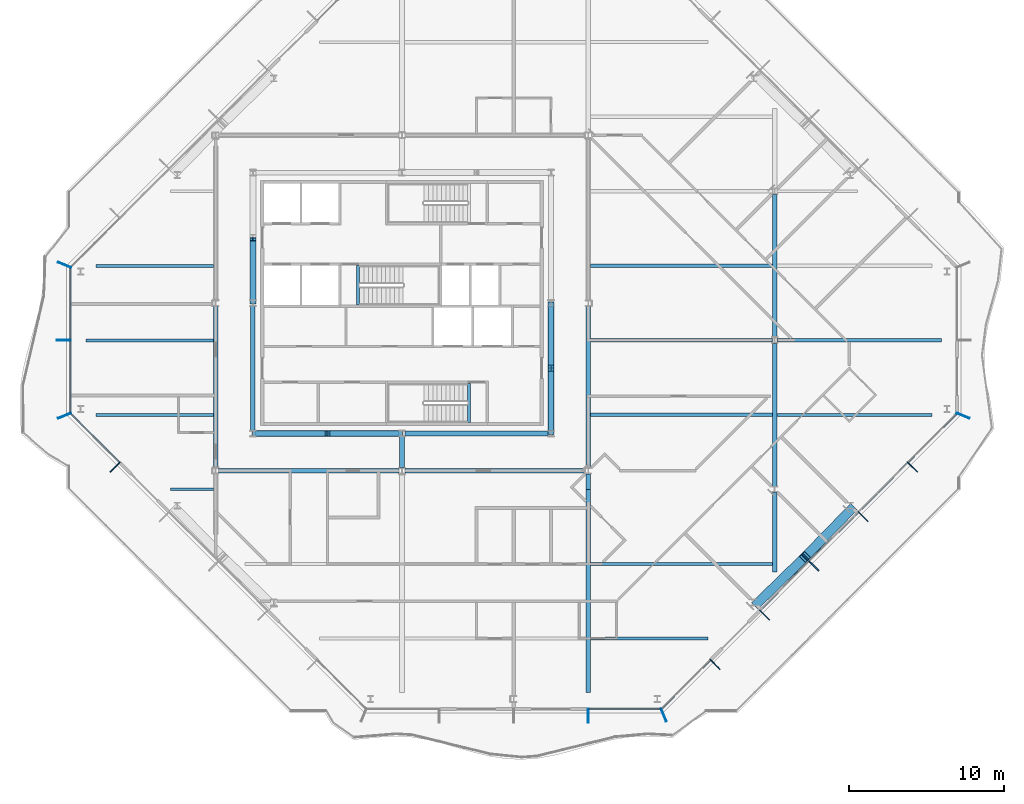
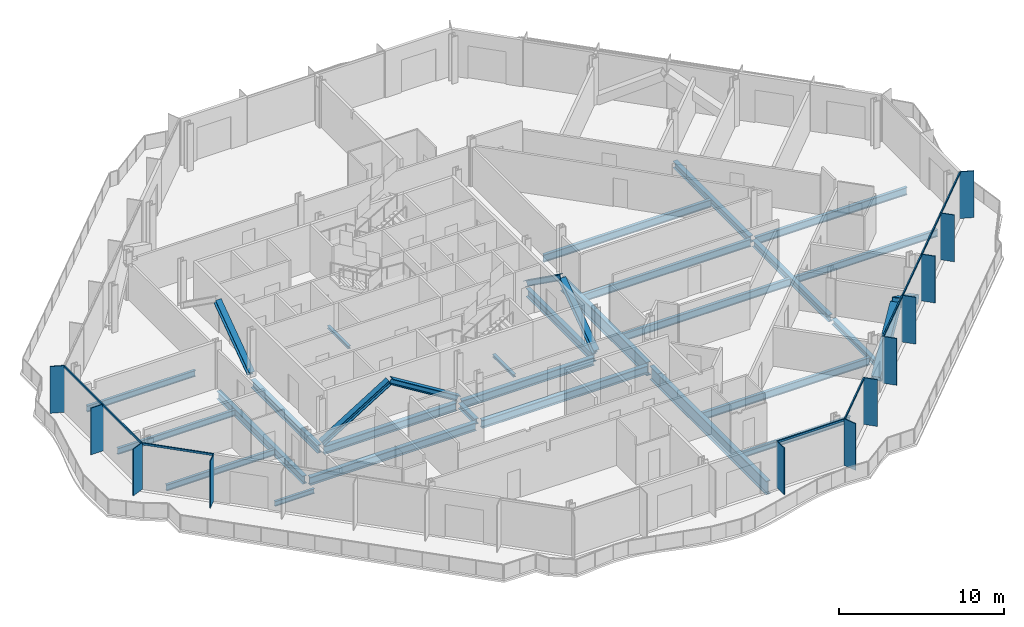
# One storey, part 3 of 17: 28 members, 27 beams, 5 elements without a shape of their own.
"""IFC4 building model written with IfcOpenShell, lengths in metres."""

from ifc_helpers import new_model, si_unit, direction, frame, origin, origin_2d, place, context, subcontext, project, spatial, rectangle, hollow_rectangle, i_section, extrude, material, material_profile, profile_set, type_object, element, aggregate, save


model = new_model("IFC4")

# Units and contexts
model_context = context("Model", 3, precision=1e-05, world=origin(), true_north=direction((0.0, 1.0)))
body_context = subcontext(model_context, "Body", "Model", "MODEL_VIEW")
ifc_project = project(units=[si_unit("LENGTHUNIT", "METRE"), si_unit("AREAUNIT", "SQUARE_METRE"), si_unit("VOLUMEUNIT", "CUBIC_METRE"), si_unit("PLANEANGLEUNIT", "RADIAN"), si_unit("MASSUNIT", "GRAM", prefix="KILO")], contexts=[model_context])

# Site, building, storey
site_placement = place(None, origin())
site = spatial("IfcSite", under=ifc_project, at=site_placement, CompositionType="ELEMENT")
building_placement = place(site_placement, origin())
building = spatial("IfcBuilding", under=site, at=building_placement, Name="Cairn Pilgrim Tower", CompositionType="ELEMENT")
storey_placement = place(building_placement, frame((0.0, 0.0, 210.60009765625)))
storey = spatial("IfcBuildingStorey", under=building, at=storey_placement, Name="L53", CompositionType="ELEMENT", Elevation=210.60009765625)

# Members
ifc_material_1 = material(Name="Structural steel S460M", Category="steel")
ifc_material_profile_1 = material_profile(ifc_material_1, hollow_rectangle(XDim=0.60009765625, YDim=0.60009765625, WallThickness=0.034912109375, at=origin_2d()), Name="BOX 600x600x35")
ifc_profile_set_1 = profile_set([ifc_material_profile_1], Name="Structural steel S460M")
member_type_1 = type_object("IfcMemberType", Name="BOX 600x600x35 BRACE", PredefinedType="BRACE", material=ifc_profile_set_1)
for number, where, z_axis, x_axis, name in (
    (1, (30.02392578125, -17.00146484375, 0.14990234375), (0.609993709431, 0.59476326853, 0.523607036681), (-0.698111810848, 0.715988756584, 0.0), "XB-SE2-SE3-1"),
    (2, (36.201416015625, -10.823974609375, 0.14990234375), (-0.59476326853, -0.609993709431, 0.523607036681), (0.715988756584, -0.698111810848, 0.0), "XB-SE2-SE3-2"),
):
    element("IfcMember", number, at=place(storey_placement, frame(where, z_axis=z_axis, x_axis=x_axis)), inside=storey, type_object=member_type_1, Name=name, PredefinedType="BRACE", context=body_context, shape_type="SweptSolid", body=[
        extrude(hollow_rectangle(XDim=0.60009765625, YDim=0.60009765625, WallThickness=0.034912109375, at=origin_2d()), origin(), (0.0, 0.0, 1.0), 5.033447265625),
    ])

# Curtain wall, member
ifc_material_2 = material(Name="Aluminium alloy 6063-T6 bronze anodised with Bronze tinted laminated low-E glass 8+16+8.8", Category="aluminium")
curtain_wall_type_1 = type_object("IfcCurtainWallType", Name="TOWER STICK CURTAIN WALL NS", PredefinedType="NOTDEFINED", material=ifc_material_2)
curtain_wall_1_placement = place(storey_placement, origin())
curtain_wall_1 = element("IfcCurtainWall", 3, at=curtain_wall_1_placement, inside=storey, type_object=curtain_wall_type_1, Name="Tower Stick Curtain Wall Ns S", PredefinedType="NOTDEFINED")
ifc_material_3 = material(Name="Aluminium alloy 6063-T6 bronze anodised", Category="aluminium")
ifc_material_profile_2 = material_profile(ifc_material_3, rectangle(XDim=0.89990234375, YDim=0.06005859375, at=origin_2d()), Name="FIN MULLION 60x900 BRONZE")
ifc_profile_set_2 = profile_set([ifc_material_profile_2], Name="Aluminium alloy 6063-T6 bronze anodised")
member_type_2 = type_object("IfcMemberType", Name="FIN MULLION 60x900 BRONZE", PredefinedType="MULLION", material=ifc_profile_set_2)
member_1_placement = place(storey_placement, frame((19.199951171875, -24.169921875, 0.0), z_axis=(0.0, 0.0, 1.0), x_axis=(0.0, -1.0, 0.0)))
member_1 = element("IfcMember", 4, at=member_1_placement, type_object=member_type_2, Name="Fin mullion S4", PredefinedType="MULLION", context=body_context, shape_type="SweptSolid", body=[
    extrude(rectangle(XDim=0.89990234375, YDim=0.06005859375, at=origin_2d()), origin(), (0.0, 0.0, 1.0), 3.449951171875),
])

# Curtain wall, members
curtain_wall_type_2 = type_object("IfcCurtainWallType", Name="CHAMFER CORNER CURTAIN WALL", PredefinedType="NOTDEFINED", material=ifc_material_2)
curtain_wall_2_placement = place(storey_placement, origin())
curtain_wall_2 = element("IfcCurtainWall", 5, at=curtain_wall_2_placement, inside=storey, type_object=curtain_wall_type_2, Name="Chamfer Corner Curtain Wall SE", PredefinedType="NOTDEFINED")
member_2_placement = place(storey_placement, frame((24.05712890625, -24.137939453125, 0.0), z_axis=(0.0, 0.0, 1.0), x_axis=(0.382683432365, -0.923879532511, 0.0)))
member_2 = element("IfcMember", 6, at=member_2_placement, type_object=member_type_2, Name="Fin mullion SE1", PredefinedType="MULLION", context=body_context, shape_type="SweptSolid", body=[
    extrude(rectangle(XDim=0.89990234375, YDim=0.06005859375, at=origin_2d()), origin(), (0.0, 0.0, 1.0), 3.449951171875),
])
member_3_placement = place(storey_placement, frame((27.369140625, -20.871337890625, 0.0), z_axis=(0.0, 0.0, 1.0), x_axis=(0.707106781187, -0.707106781187, 0.0)))
member_3 = element("IfcMember", 7, at=member_3_placement, type_object=member_type_2, Name="Fin mullion SE2", PredefinedType="MULLION", context=body_context, shape_type="SweptSolid", body=[
    extrude(rectangle(XDim=0.89990234375, YDim=0.06005859375, at=origin_2d()), origin(), (0.0, 0.0, 1.0), 3.449951171875),
])
member_4_placement = place(storey_placement, frame((30.544677734375, -17.69580078125, 0.0), z_axis=(0.0, 0.0, 1.0), x_axis=(0.707106781187, -0.707106781187, 0.0)))
member_4 = element("IfcMember", 8, at=member_4_placement, type_object=member_type_2, Name="Fin mullion SE3", PredefinedType="MULLION", context=body_context, shape_type="SweptSolid", body=[
    extrude(rectangle(XDim=0.89990234375, YDim=0.06005859375, at=origin_2d()), origin(), (0.0, 0.0, 1.0), 3.449951171875),
])
member_5_placement = place(storey_placement, frame((33.72021484375, -14.520263671875, 0.0), z_axis=(0.0, 0.0, 1.0), x_axis=(0.707106781187, -0.707106781187, 0.0)))
member_5 = element("IfcMember", 9, at=member_5_placement, type_object=member_type_2, Name="Fin mullion SE4", PredefinedType="MULLION", context=body_context, shape_type="SweptSolid", body=[
    extrude(rectangle(XDim=0.89990234375, YDim=0.06005859375, at=origin_2d()), origin(), (0.0, 0.0, 1.0), 3.449951171875),
])
member_6_placement = place(storey_placement, frame((36.895751953125, -11.3447265625, 0.0), z_axis=(0.0, 0.0, 1.0), x_axis=(0.707106781187, -0.707106781187, 0.0)))
member_6 = element("IfcMember", 10, at=member_6_placement, type_object=member_type_2, Name="Fin mullion SE5", PredefinedType="MULLION", context=body_context, shape_type="SweptSolid", body=[
    extrude(rectangle(XDim=0.89990234375, YDim=0.06005859375, at=origin_2d()), origin(), (0.0, 0.0, 1.0), 3.449951171875),
])
member_7_placement = place(storey_placement, frame((40.0712890625, -8.1689453125, 0.0), z_axis=(0.0, 0.0, 1.0), x_axis=(0.707106781187, -0.707106781187, 0.0)))
member_7 = element("IfcMember", 11, at=member_7_placement, type_object=member_type_2, Name="Fin mullion SE6", PredefinedType="MULLION", context=body_context, shape_type="SweptSolid", body=[
    extrude(rectangle(XDim=0.89990234375, YDim=0.06005859375, at=origin_2d()), origin(), (0.0, 0.0, 1.0), 3.449951171875),
])

# Curtain wall, member
curtain_wall_type_3 = type_object("IfcCurtainWallType", Name="TOWER STICK CURTAIN WALL EW", PredefinedType="NOTDEFINED", material=ifc_material_2)
curtain_wall_3_placement = place(storey_placement, origin())
curtain_wall_3 = element("IfcCurtainWall", 12, at=curtain_wall_3_placement, inside=storey, type_object=curtain_wall_type_3, Name="Tower Stick Curtain Wall Ew E", PredefinedType="NOTDEFINED")
member_8_placement = place(storey_placement, frame((43.338134765625, -4.857177734375, 0.0), z_axis=(0.0, 0.0, 1.0), x_axis=(0.923879532511, -0.382683432365, 0.0)))
member_8 = element("IfcMember", 13, at=member_8_placement, type_object=member_type_2, Name="Fin mullion E1", PredefinedType="MULLION", context=body_context, shape_type="SweptSolid", body=[
    extrude(rectangle(XDim=0.89990234375, YDim=0.06005859375, at=origin_2d()), origin(), (0.0, 0.0, 1.0), 3.449951171875),
])
aggregate(curtain_wall_3, [member_8])

# Curtain wall, members
curtain_wall_4_placement = place(storey_placement, origin())
curtain_wall_4 = element("IfcCurtainWall", 14, at=curtain_wall_4_placement, inside=storey, type_object=curtain_wall_type_3, Name="Tower Stick Curtain Wall Ew W", PredefinedType="NOTDEFINED")
member_9_placement = place(storey_placement, frame((-14.5380859375, 4.857177734375, 0.0), z_axis=(0.0, 0.0, 1.0), x_axis=(-0.923879532511, 0.382683432365, 0.0)))
member_9 = element("IfcMember", 15, at=member_9_placement, type_object=member_type_2, Name="Fin mullion W1", PredefinedType="MULLION", context=body_context, shape_type="SweptSolid", body=[
    extrude(rectangle(XDim=0.89990234375, YDim=0.06005859375, at=origin_2d()), origin(), (0.0, 0.0, 1.0), 3.449951171875),
])
member_10_placement = place(storey_placement, frame((-14.570068359375, 0.0, 0.0), z_axis=(0.0, 0.0, 1.0), x_axis=(-1.0, 0.0, 0.0)))
member_10 = element("IfcMember", 16, at=member_10_placement, type_object=member_type_2, Name="Fin mullion W2", PredefinedType="MULLION", context=body_context, shape_type="SweptSolid", body=[
    extrude(rectangle(XDim=0.89990234375, YDim=0.06005859375, at=origin_2d()), origin(), (0.0, 0.0, 1.0), 3.449951171875),
])

curtain_wall_5_placement = place(storey_placement, origin())
curtain_wall_5 = element("IfcCurtainWall", 17, at=curtain_wall_5_placement, inside=storey, type_object=curtain_wall_type_2, Name="Chamfer Corner Curtain Wall SW", PredefinedType="NOTDEFINED")
member_11_placement = place(storey_placement, frame((-14.5380859375, -4.857177734375, 0.0), z_axis=(0.0, 0.0, 1.0), x_axis=(-0.923879532511, -0.382683432365, 0.0)))
member_11 = element("IfcMember", 18, at=member_11_placement, type_object=member_type_2, Name="Fin mullion SW1", PredefinedType="MULLION", context=body_context, shape_type="SweptSolid", body=[
    extrude(rectangle(XDim=0.89990234375, YDim=0.06005859375, at=origin_2d()), origin(), (0.0, 0.0, 1.0), 3.449951171875),
])
member_12_placement = place(storey_placement, frame((-11.271484375, -8.1689453125, 0.0), z_axis=(0.0, 0.0, 1.0), x_axis=(-0.707106781187, -0.707106781187, 0.0)))
member_12 = element("IfcMember", 19, at=member_12_placement, type_object=member_type_2, Name="Fin mullion SW2", PredefinedType="MULLION", context=body_context, shape_type="SweptSolid", body=[
    extrude(rectangle(XDim=0.89990234375, YDim=0.06005859375, at=origin_2d()), origin(), (0.0, 0.0, 1.0), 3.449951171875),
])

# Members
ifc_material_4 = material(Name="Structural steel S355J2", Category="steel")
ifc_material_profile_3 = material_profile(ifc_material_4, i_section(OverallWidth=0.39794921875, OverallDepth=0.386962890625, WebThickness=0.02099609375, FlangeThickness=0.033203125, FilletRadius=0.014892578125, at=origin_2d()), Name="HD 400x262")
ifc_profile_set_3 = profile_set([ifc_material_profile_3], Name="Structural steel S355J2")
member_type_3 = type_object("IfcMemberType", Name="HD 400x262 BRACE", PredefinedType="BRACE", material=ifc_profile_set_3)
member_13_placement = place(storey_placement, frame((-2.359619140625, -6.0, 0.099853515625), z_axis=(0.851160677397, 0.0, 0.524905230736), x_axis=(0.0, 1.0, 0.0)))
element("IfcMember", 20, at=member_13_placement, inside=storey, type_object=member_type_3, Name="KB-1A", PredefinedType="BRACE", context=body_context, shape_type="SweptSolid", body=[
    extrude(i_section(OverallWidth=0.39794921875, OverallDepth=0.386962890625, WebThickness=0.02099609375, FlangeThickness=0.033203125, FilletRadius=0.014892578125, at=origin_2d()), origin(), (0.0, 0.0, 1.0), 5.529296875),
])
member_14_placement = place(storey_placement, frame((7.15966796875, -6.0, 0.099853515625), z_axis=(-0.851172842321, 0.0, 0.524885504177), x_axis=(0.0, -1.0, 0.0)))
element("IfcMember", 21, at=member_14_placement, inside=storey, type_object=member_type_3, Name="KB-1B", PredefinedType="BRACE", context=body_context, shape_type="SweptSolid", body=[
    extrude(i_section(OverallWidth=0.39794921875, OverallDepth=0.386962890625, WebThickness=0.02099609375, FlangeThickness=0.033203125, FilletRadius=0.014892578125, at=origin_2d()), origin(), (0.0, 0.0, 1.0), 5.529541015625),
])
member_15_placement = place(storey_placement, frame((16.800048828125, -5.959716796875, 0.099853515625), z_axis=(0.0, 0.814429122825, 0.580263047155), x_axis=(-1.0, 0.0, 0.0)))
element("IfcMember", 22, at=member_15_placement, inside=storey, type_object=member_type_3, Name="KB-2A", PredefinedType="BRACE", context=body_context, shape_type="SweptSolid", body=[
    extrude(i_section(OverallWidth=0.39794921875, OverallDepth=0.386962890625, WebThickness=0.02099609375, FlangeThickness=0.033203125, FilletRadius=0.014892578125, at=origin_2d()), origin(), (0.0, 0.0, 1.0), 4.999267578125),
])
for number, where, z_axis, x_axis, name in (
    (23, (16.800048828125, 2.359619140625, 0.099853515625), (0.0, -0.814412678688, 0.580286126659), (1.0, 0.0, 0.0), "KB-2B"),
    (24, (-2.39990234375, 2.4404296875, 0.099853515625), (0.0, 0.814412678688, 0.580286126659), (-1.0, 0.0, 0.0), "KB-4B"),
):
    element("IfcMember", number, at=place(storey_placement, frame(where, z_axis=z_axis, x_axis=x_axis)), inside=storey, type_object=member_type_3, Name=name, PredefinedType="BRACE", context=body_context, shape_type="SweptSolid", body=[
        extrude(i_section(OverallWidth=0.39794921875, OverallDepth=0.386962890625, WebThickness=0.02099609375, FlangeThickness=0.033203125, FilletRadius=0.014892578125, at=origin_2d()), origin(), (0.0, 0.0, 1.0), 4.9990234375),
    ])

# Beams
ifc_material_profile_4 = material_profile(ifc_material_4, i_section(OverallWidth=0.300048828125, OverallDepth=0.39990234375, WebThickness=0.013427734375, FlangeThickness=0.02392578125, FilletRadius=0.027099609375, at=origin_2d()), Name="HEB 400")
ifc_profile_set_4 = profile_set([ifc_material_profile_4], Name="Structural steel S355J2")
beam_type_1 = type_object("IfcBeamType", Name="HEB 400 GIRDER", PredefinedType="BEAM", material=ifc_profile_set_4)
beam_1_placement = place(storey_placement, frame((7.199951171875, -8.200439453125, -0.35009765625), z_axis=(0.0, 1.0, 0.0), x_axis=(-1.0, 0.0, 0.0)))
element("IfcBeam", 25, at=beam_1_placement, inside=storey, type_object=beam_type_1, Name="PG3-E1", PredefinedType="BEAM", context=body_context, shape_type="SweptSolid", body=[
    extrude(i_section(OverallWidth=0.300048828125, OverallDepth=0.39990234375, WebThickness=0.013427734375, FlangeThickness=0.02392578125, FilletRadius=0.027099609375, at=origin_2d()), origin(), (0.0, 0.0, 1.0), 1.99853515625),
])
beam_2_placement = place(storey_placement, frame((31.199951171875, -14.9208984375, -0.35009765625), z_axis=(0.0, 1.0, 0.0), x_axis=(-1.0, 0.0, 0.0)))
element("IfcBeam", 26, at=beam_2_placement, inside=storey, type_object=beam_type_1, Name="PG5-1", PredefinedType="BEAM", context=body_context, shape_type="SweptSolid", body=[
    extrude(i_section(OverallWidth=0.300048828125, OverallDepth=0.39990234375, WebThickness=0.013427734375, FlangeThickness=0.02392578125, FilletRadius=0.027099609375, at=origin_2d()), origin(), (0.0, 0.0, 1.0), 5.121337890625),
])
ifc_material_profile_5 = material_profile(ifc_material_4, i_section(OverallWidth=0.300048828125, OverallDepth=0.5, WebThickness=0.014404296875, FlangeThickness=0.028076171875, FilletRadius=0.027099609375, at=origin_2d()), Name="HEB 500")
ifc_profile_set_5 = profile_set([ifc_material_profile_5], Name="Structural steel S355J2")
beam_type_2 = type_object("IfcBeamType", Name="HEB 500 GIRDER", PredefinedType="BEAM", material=ifc_profile_set_5)
for number, where, z_axis, x_axis, name in (
    (27, (31.199951171875, -9.400390625, -0.400146484375), (0.0, 1.0, 0.0), (-1.0, 0.0, 0.0), "PG5-2"),
    (28, (31.199951171875, 0.199462890625, -0.400146484375), (0.0, 1.0, 0.0), (-1.0, 0.0, 0.0), "PG5-3"),
):
    element("IfcBeam", number, at=place(storey_placement, frame(where, z_axis=z_axis, x_axis=x_axis)), inside=storey, type_object=beam_type_2, Name=name, PredefinedType="BEAM", context=body_context, shape_type="SweptSolid", body=[
        extrude(i_section(OverallWidth=0.300048828125, OverallDepth=0.5, WebThickness=0.014404296875, FlangeThickness=0.028076171875, FilletRadius=0.027099609375, at=origin_2d()), origin(), (0.0, 0.0, 1.0), 9.200927734375),
    ])
ifc_material_profile_6 = material_profile(ifc_material_4, i_section(OverallWidth=0.300048828125, OverallDepth=0.60009765625, WebThickness=0.015380859375, FlangeThickness=0.030029296875, FilletRadius=0.027099609375, at=origin_2d()), Name="HEB 600")
ifc_profile_set_6 = profile_set([ifc_material_profile_6], Name="Structural steel S355J2")
beam_type_3 = type_object("IfcBeamType", Name="HEB 600 CORE BEAM", PredefinedType="BEAM", material=ifc_profile_set_6)
beam_3_placement = place(storey_placement, frame((-2.21826171875, -6.0, -0.4501953125), z_axis=(1.0, 0.0, 0.0), x_axis=(0.0, 1.0, 0.0)))
element("IfcBeam", 29, at=beam_3_placement, inside=storey, type_object=beam_type_3, Name="CB-1", PredefinedType="BEAM", context=body_context, shape_type="SweptSolid", body=[
    extrude(i_section(OverallWidth=0.300048828125, OverallDepth=0.60009765625, WebThickness=0.015380859375, FlangeThickness=0.030029296875, FilletRadius=0.027099609375, at=origin_2d()), origin(), (0.0, 0.0, 1.0), 9.236572265625),
])
beam_4_placement = place(storey_placement, frame((7.3818359375, -6.0, -0.4501953125), z_axis=(1.0, 0.0, 0.0), x_axis=(0.0, 1.0, 0.0)))
element("IfcBeam", 30, at=beam_4_placement, inside=storey, type_object=beam_type_3, Name="CB-2", PredefinedType="BEAM", context=body_context, shape_type="SweptSolid", body=[
    extrude(i_section(OverallWidth=0.300048828125, OverallDepth=0.60009765625, WebThickness=0.015380859375, FlangeThickness=0.030029296875, FilletRadius=0.027099609375, at=origin_2d()), origin(), (0.0, 0.0, 1.0), 9.236328125),
])
for number, where, z_axis, x_axis, name in (
    (31, (16.800048828125, -5.818115234375, -0.4501953125), (0.0, 1.0, 0.0), (-1.0, 0.0, 0.0), "CB-3"),
    (32, (-2.39990234375, 2.21826171875, -0.4501953125), (0.0, -1.0, 0.0), (1.0, 0.0, 0.0), "CB-8"),
):
    element("IfcBeam", number, at=place(storey_placement, frame(where, z_axis=z_axis, x_axis=x_axis)), inside=storey, type_object=beam_type_3, Name=name, PredefinedType="BEAM", context=body_context, shape_type="SweptSolid", body=[
        extrude(i_section(OverallWidth=0.300048828125, OverallDepth=0.60009765625, WebThickness=0.015380859375, FlangeThickness=0.030029296875, FilletRadius=0.027099609375, at=origin_2d()), origin(), (0.0, 0.0, 1.0), 8.036376953125),
    ])
ifc_material_profile_7 = material_profile(ifc_material_4, i_section(OverallWidth=0.300048828125, OverallDepth=0.60009765625, WebThickness=0.015380859375, FlangeThickness=0.030029296875, FilletRadius=0.027099609375, at=origin_2d()), Name="HEB 600")
ifc_profile_set_7 = profile_set([ifc_material_profile_7], Name="Structural steel S355J2")
beam_type_4 = type_object("IfcBeamType", Name="HEB 600 GIRDER", PredefinedType="BEAM", material=ifc_profile_set_7)
beam_5_placement = place(storey_placement, frame((-4.800048828125, -8.200439453125, -0.4501953125), z_axis=(0.0, 1.0, 0.0), x_axis=(-1.0, 0.0, 0.0)))
element("IfcBeam", 33, at=beam_5_placement, inside=storey, type_object=beam_type_4, Name="PG2-2", PredefinedType="BEAM", context=body_context, shape_type="SweptSolid", body=[
    extrude(i_section(OverallWidth=0.300048828125, OverallDepth=0.60009765625, WebThickness=0.015380859375, FlangeThickness=0.030029296875, FilletRadius=0.027099609375, at=origin_2d()), origin(), (0.0, 0.0, 1.0), 10.40087890625),
])
ifc_material_profile_8 = material_profile(ifc_material_4, i_section(OverallWidth=0.300048828125, OverallDepth=0.60009765625, WebThickness=0.015380859375, FlangeThickness=0.030029296875, FilletRadius=0.027099609375, at=origin_2d()), Name="HEB 600")
ifc_profile_set_8 = profile_set([ifc_material_profile_8], Name="Structural steel S355J2")
beam_type_5 = type_object("IfcBeamType", Name="HEB 600 INNER GIRDER", PredefinedType="BEAM", material=ifc_profile_set_8)
for number, where, z_axis, x_axis, name in (
    (34, (-4.6005859375, -8.39990234375, -0.4501953125), (1.0, 0.0, 0.0), (0.0, 1.0, 0.0), "IG1-1"),
    (35, (7.3994140625, -8.39990234375, -0.4501953125), (1.0, 0.0, 0.0), (0.0, 1.0, 0.0), "IG1-2"),
):
    element("IfcBeam", number, at=place(storey_placement, frame(where, z_axis=z_axis, x_axis=x_axis)), inside=storey, type_object=beam_type_5, Name=name, PredefinedType="BEAM", context=body_context, shape_type="SweptSolid", body=[
        extrude(i_section(OverallWidth=0.300048828125, OverallDepth=0.60009765625, WebThickness=0.015380859375, FlangeThickness=0.030029296875, FilletRadius=0.027099609375, at=origin_2d()), origin(), (0.0, 0.0, 1.0), 11.60107421875),
    ])
ifc_material_profile_9 = material_profile(ifc_material_4, i_section(OverallWidth=0.302001953125, OverallDepth=1.008056640625, WebThickness=0.02099609375, FlangeThickness=0.0400390625, FilletRadius=0.030029296875, at=origin_2d()), Name="HEM 1000")
ifc_profile_set_9 = profile_set([ifc_material_profile_9], Name="Structural steel S355J2")
beam_type_6 = type_object("IfcBeamType", Name="HEM 1000 GIRDER", PredefinedType="BEAM", material=ifc_profile_set_9)
beam_6_placement = place(storey_placement, frame((19.199951171875, -22.679931640625, -0.654052734375), z_axis=(0.0, 1.0, 0.0), x_axis=(-1.0, 0.0, 0.0)))
element("IfcBeam", 36, at=beam_6_placement, inside=storey, type_object=beam_type_6, Name="PG4-1", PredefinedType="BEAM", context=body_context, shape_type="SweptSolid", body=[
    extrude(i_section(OverallWidth=0.302001953125, OverallDepth=1.008056640625, WebThickness=0.02099609375, FlangeThickness=0.0400390625, FilletRadius=0.030029296875, at=origin_2d()), origin(), (0.0, 0.0, 1.0), 13.079833984375),
])
beam_7_placement = place(storey_placement, frame((19.199951171875, -9.60009765625, -0.654052734375), z_axis=(0.0, 1.0, 0.0), x_axis=(-1.0, 0.0, 0.0)))
element("IfcBeam", 37, at=beam_7_placement, inside=storey, type_object=beam_type_6, Name="PG4-E1", PredefinedType="BEAM", context=body_context, shape_type="SweptSolid", body=[
    extrude(i_section(OverallWidth=0.302001953125, OverallDepth=1.008056640625, WebThickness=0.02099609375, FlangeThickness=0.0400390625, FilletRadius=0.030029296875, at=origin_2d()), origin(), (0.0, 0.0, 1.0), 1.00048828125),
])
beam_8_placement = place(storey_placement, frame((19.199951171875, -8.200439453125, -0.654052734375), z_axis=(0.0, 1.0, 0.0), x_axis=(-1.0, 0.0, 0.0)))
element("IfcBeam", 38, at=beam_8_placement, inside=storey, type_object=beam_type_6, Name="PG4-2", PredefinedType="BEAM", context=body_context, shape_type="SweptSolid", body=[
    extrude(i_section(OverallWidth=0.302001953125, OverallDepth=1.008056640625, WebThickness=0.02099609375, FlangeThickness=0.0400390625, FilletRadius=0.030029296875, at=origin_2d()), origin(), (0.0, 0.0, 1.0), 10.40087890625),
])
ifc_material_profile_10 = material_profile(ifc_material_4, i_section(OverallWidth=0.169921875, OverallDepth=0.360107421875, WebThickness=0.008056640625, FlangeThickness=0.0126953125, FilletRadius=0.01806640625, at=origin_2d()), Name="IPE 360")
ifc_profile_set_10 = profile_set([ifc_material_profile_10], Name="Structural steel S355J2")
beam_type_7 = type_object("IfcBeamType", Name="IPE 360 SECONDARY BEAM", PredefinedType="JOIST", material=ifc_profile_set_10)
beam_9_placement = place(storey_placement, frame((-7.720703125, -9.60009765625, -0.330078125), z_axis=(1.0, 0.0, 0.0), x_axis=(0.0, 1.0, 0.0)))
element("IfcBeam", 39, at=beam_9_placement, inside=storey, type_object=beam_type_7, Name="SB3-1", PredefinedType="JOIST", context=body_context, shape_type="SweptSolid", body=[
    extrude(i_section(OverallWidth=0.169921875, OverallDepth=0.360107421875, WebThickness=0.008056640625, FlangeThickness=0.0126953125, FilletRadius=0.01806640625, at=origin_2d()), origin(), (0.0, 0.0, 1.0), 2.770751953125),
])
ifc_material_profile_11 = material_profile(ifc_material_4, i_section(OverallWidth=0.18994140625, OverallDepth=0.449951171875, WebThickness=0.009521484375, FlangeThickness=0.0146484375, FilletRadius=0.02099609375, at=origin_2d()), Name="IPE 450")
ifc_profile_set_11 = profile_set([ifc_material_profile_11], Name="Structural steel S355J2")
beam_type_8 = type_object("IfcBeamType", Name="IPE 450 SECONDARY BEAM", PredefinedType="JOIST", material=ifc_profile_set_11)
for number, where, z_axis, x_axis, name in (
    (40, (19.35009765625, -19.199951171875, -0.375), (1.0, 0.0, 0.0), (0.0, 1.0, 0.0), "SB1-3"),
    (41, (-12.520751953125, -4.800048828125, -0.375), (1.0, 0.0, 0.0), (0.0, 1.0, 0.0), "SB4-1"),
):
    element("IfcBeam", number, at=place(storey_placement, frame(where, z_axis=z_axis, x_axis=x_axis)), inside=storey, type_object=beam_type_8, Name=name, PredefinedType="JOIST", context=body_context, shape_type="SweptSolid", body=[
        extrude(i_section(OverallWidth=0.18994140625, OverallDepth=0.449951171875, WebThickness=0.009521484375, FlangeThickness=0.0146484375, FilletRadius=0.02099609375, at=origin_2d()), origin(), (0.0, 0.0, 1.0), 7.57080078125),
    ])
beam_10_placement = place(storey_placement, frame((-13.14990234375, 0.0, -0.375), z_axis=(1.0, 0.0, 0.0), x_axis=(0.0, 1.0, 0.0)))
element("IfcBeam", 42, at=beam_10_placement, inside=storey, type_object=beam_type_8, Name="SB5-1", PredefinedType="JOIST", context=body_context, shape_type="SweptSolid", body=[
    extrude(i_section(OverallWidth=0.18994140625, OverallDepth=0.449951171875, WebThickness=0.009521484375, FlangeThickness=0.0146484375, FilletRadius=0.02099609375, at=origin_2d()), origin(), (0.0, 0.0, 1.0), 8.199951171875),
])
beam_11_placement = place(storey_placement, frame((-12.520751953125, 4.800048828125, -0.375), z_axis=(1.0, 0.0, 0.0), x_axis=(0.0, 1.0, 0.0)))
element("IfcBeam", 43, at=beam_11_placement, inside=storey, type_object=beam_type_8, Name="SB6-1", PredefinedType="JOIST", context=body_context, shape_type="SweptSolid", body=[
    extrude(i_section(OverallWidth=0.18994140625, OverallDepth=0.449951171875, WebThickness=0.009521484375, FlangeThickness=0.0146484375, FilletRadius=0.02099609375, at=origin_2d()), origin(), (0.0, 0.0, 1.0), 7.57080078125),
])
ifc_material_profile_12 = material_profile(ifc_material_4, i_section(OverallWidth=0.199951171875, OverallDepth=0.5, WebThickness=0.01025390625, FlangeThickness=0.01611328125, FilletRadius=0.02099609375, at=origin_2d()), Name="IPE 500")
ifc_profile_set_12 = profile_set([ifc_material_profile_12], Name="Structural steel S355J2")
beam_type_9 = type_object("IfcBeamType", Name="IPE 500 SECONDARY BEAM", PredefinedType="JOIST", material=ifc_profile_set_12)
beam_12_placement = place(storey_placement, frame((31.35009765625, -4.800048828125, -0.400146484375), z_axis=(1.0, 0.0, 0.0), x_axis=(0.0, 1.0, 0.0)))
element("IfcBeam", 44, at=beam_12_placement, inside=storey, type_object=beam_type_9, Name="SB4-3", PredefinedType="JOIST", context=body_context, shape_type="SweptSolid", body=[
    extrude(i_section(OverallWidth=0.199951171875, OverallDepth=0.5, WebThickness=0.01025390625, FlangeThickness=0.01611328125, FilletRadius=0.02099609375, at=origin_2d()), origin(), (0.0, 0.0, 1.0), 9.970703125),
])
ifc_material_profile_13 = material_profile(ifc_material_4, i_section(OverallWidth=0.2099609375, OverallDepth=0.550048828125, WebThickness=0.010986328125, FlangeThickness=0.01708984375, FilletRadius=0.02392578125, at=origin_2d()), Name="IPE 550")
ifc_profile_set_13 = profile_set([ifc_material_profile_13], Name="Structural steel S355J2")
beam_type_10 = type_object("IfcBeamType", Name="IPE 550 SECONDARY BEAM", PredefinedType="JOIST", material=ifc_profile_set_13)
for number, where, z_axis, x_axis, name in (
    (45, (19.35009765625, -14.39990234375, -0.425048828125), (1.0, 0.0, 0.0), (0.0, 1.0, 0.0), "SB2-3"),
    (46, (19.35009765625, -4.800048828125, -0.425048828125), (1.0, 0.0, 0.0), (0.0, 1.0, 0.0), "SB4-2"),
    (47, (19.35009765625, 0.0, -0.425048828125), (1.0, 0.0, 0.0), (0.0, 1.0, 0.0), "SB5-2"),
):
    element("IfcBeam", number, at=place(storey_placement, frame(where, z_axis=z_axis, x_axis=x_axis)), inside=storey, type_object=beam_type_10, Name=name, PredefinedType="JOIST", context=body_context, shape_type="SweptSolid", body=[
        extrude(i_section(OverallWidth=0.2099609375, OverallDepth=0.550048828125, WebThickness=0.010986328125, FlangeThickness=0.01708984375, FilletRadius=0.02392578125, at=origin_2d()), origin(), (0.0, 0.0, 1.0), 11.699951171875),
    ])
beam_13_placement = place(storey_placement, frame((31.35009765625, 0.0, -0.425048828125), z_axis=(1.0, 0.0, 0.0), x_axis=(0.0, 1.0, 0.0)))
element("IfcBeam", 48, at=beam_13_placement, inside=storey, type_object=beam_type_10, Name="SB5-3", PredefinedType="JOIST", context=body_context, shape_type="SweptSolid", body=[
    extrude(i_section(OverallWidth=0.2099609375, OverallDepth=0.550048828125, WebThickness=0.010986328125, FlangeThickness=0.01708984375, FilletRadius=0.02392578125, at=origin_2d()), origin(), (0.0, 0.0, 1.0), 10.599853515625),
])
beam_14_placement = place(storey_placement, frame((19.35009765625, 4.800048828125, -0.425048828125), z_axis=(1.0, 0.0, 0.0), x_axis=(0.0, 1.0, 0.0)))
element("IfcBeam", 49, at=beam_14_placement, inside=storey, type_object=beam_type_10, Name="SB6-2", PredefinedType="JOIST", context=body_context, shape_type="SweptSolid", body=[
    extrude(i_section(OverallWidth=0.2099609375, OverallDepth=0.550048828125, WebThickness=0.010986328125, FlangeThickness=0.01708984375, FilletRadius=0.02392578125, at=origin_2d()), origin(), (0.0, 0.0, 1.0), 11.699951171875),
])
ifc_material_profile_14 = material_profile(ifc_material_4, i_section(OverallWidth=0.199951171875, OverallDepth=0.199951171875, WebThickness=0.009033203125, FlangeThickness=0.014892578125, FilletRadius=0.01806640625, at=origin_2d()), Name="HE 200 B")
ifc_profile_set_14 = profile_set([ifc_material_profile_14], Name="Structural steel S355J2")
beam_type_11 = type_object("IfcBeamType", Name="STAIR LANDING BEAM HE 200 B", PredefinedType="BEAM", material=ifc_profile_set_14)
beam_15_placement = place(storey_placement, frame((11.5244140625, -2.77490234375, -0.25), z_axis=(0.0, -1.0, 0.0), x_axis=(1.0, 0.0, 0.0)))
element("IfcBeam", 50, at=beam_15_placement, inside=storey, type_object=beam_type_11, Name="STAIR LANDING BEAM LD-HE200B", PredefinedType="BEAM", context=body_context, shape_type="SweptSolid", body=[
    extrude(i_section(OverallWidth=0.199951171875, OverallDepth=0.199951171875, WebThickness=0.009033203125, FlangeThickness=0.014892578125, FilletRadius=0.01806640625, at=origin_2d()), origin(), (0.0, 0.0, 1.0), 2.525146484375),
])
beam_16_placement = place(storey_placement, frame((4.37548828125, 2.27490234375, -0.25), z_axis=(0.0, 1.0, 0.0), x_axis=(-1.0, 0.0, 0.0)))
element("IfcBeam", 51, at=beam_16_placement, inside=storey, type_object=beam_type_11, Name="STAIR LANDING BEAM LD-HE200B", PredefinedType="BEAM", context=body_context, shape_type="SweptSolid", body=[
    extrude(i_section(OverallWidth=0.199951171875, OverallDepth=0.199951171875, WebThickness=0.009033203125, FlangeThickness=0.014892578125, FilletRadius=0.01806640625, at=origin_2d()), origin(), (0.0, 0.0, 1.0), 2.550048828125),
])

# Member
ifc_material_profile_15 = material_profile(ifc_material_3, rectangle(XDim=0.080078125, YDim=0.14990234375, at=origin_2d()), Name="TRANSOM 80x150 BRONZE")
ifc_profile_set_15 = profile_set([ifc_material_profile_15], Name="Aluminium alloy 6063-T6 bronze anodised")
member_type_4 = type_object("IfcMemberType", Name="TRANSOM 80x150 BRONZE", PredefinedType="USERDEFINED", material=ifc_profile_set_15)
member_16_placement = place(storey_placement, frame((19.22998046875, -23.75, 3.375), z_axis=(1.0, 0.0, 0.0), x_axis=(0.0, 1.0, 0.0)))
member_16 = element("IfcMember", 52, at=member_16_placement, type_object=member_type_4, Name="Transom S4", ObjectType="TRANSOM", PredefinedType="USERDEFINED", context=body_context, shape_type="SweptSolid", body=[
    extrude(rectangle(XDim=0.080078125, YDim=0.14990234375, at=origin_2d()), origin(), (0.0, 0.0, 1.0), 4.62646484375),
])

aggregate(curtain_wall_1, [member_1, member_16])

member_17_placement = place(storey_placement, frame((23.9248046875, -23.7216796875, 3.375), z_axis=(0.707106781187, 0.707106781187, 0.0), x_axis=(-0.707106781187, 0.707106781187, 0.0)))
member_17 = element("IfcMember", 53, at=member_17_placement, type_object=member_type_4, Name="Transom SE1", ObjectType="TRANSOM", PredefinedType="USERDEFINED", context=body_context, shape_type="SweptSolid", body=[
    extrude(rectangle(XDim=0.080078125, YDim=0.14990234375, at=origin_2d()), origin(), (0.0, 0.0, 1.0), 4.4208984375),
])

member_18_placement = place(storey_placement, frame((30.268798828125, -17.377685546875, 3.375), z_axis=(0.707106781187, 0.707106781187, 0.0), x_axis=(-0.707106781187, 0.707106781187, 0.0)))
member_18 = element("IfcMember", 54, at=member_18_placement, type_object=member_type_4, Name="Transom SE3", ObjectType="TRANSOM", PredefinedType="USERDEFINED", context=body_context, shape_type="SweptSolid", body=[
    extrude(rectangle(XDim=0.080078125, YDim=0.14990234375, at=origin_2d()), origin(), (0.0, 0.0, 1.0), 4.43115234375),
])

member_19_placement = place(storey_placement, frame((33.4443359375, -14.201904296875, 3.375), z_axis=(0.707134329907, 0.707079231393, 0.0), x_axis=(-0.707079231393, 0.707134329907, 0.0)))
member_19 = element("IfcMember", 55, at=member_19_placement, type_object=member_type_4, Name="Transom SE4", ObjectType="TRANSOM", PredefinedType="USERDEFINED", context=body_context, shape_type="SweptSolid", body=[
    extrude(rectangle(XDim=0.080078125, YDim=0.14990234375, at=origin_2d()), origin(), (0.0, 0.0, 1.0), 4.430908203125),
])

member_20_placement = place(storey_placement, frame((36.6201171875, -11.0263671875, 3.375), z_axis=(0.707106781187, 0.707106781187, 0.0), x_axis=(-0.707106781187, 0.707106781187, 0.0)))
member_20 = element("IfcMember", 56, at=member_20_placement, type_object=member_type_4, Name="Transom SE5", ObjectType="TRANSOM", PredefinedType="USERDEFINED", context=body_context, shape_type="SweptSolid", body=[
    extrude(rectangle(XDim=0.080078125, YDim=0.14990234375, at=origin_2d()), origin(), (0.0, 0.0, 1.0), 4.430908203125),
])

member_21_placement = place(storey_placement, frame((39.795654296875, -7.850830078125, 3.375), z_axis=(0.707079168996, 0.707134392299, 0.0), x_axis=(-0.707134392299, 0.707079168996, 0.0)))
member_21 = element("IfcMember", 57, at=member_21_placement, type_object=member_type_4, Name="Transom SE6", ObjectType="TRANSOM", PredefinedType="USERDEFINED", context=body_context, shape_type="SweptSolid", body=[
    extrude(rectangle(XDim=0.080078125, YDim=0.14990234375, at=origin_2d()), origin(), (0.0, 0.0, 1.0), 4.4208984375),
])

aggregate(curtain_wall_2, [member_2, member_3, member_4, member_5, member_6, member_7, member_17, member_18, member_19, member_20, member_21])

member_22_placement = place(storey_placement, frame((-14.14990234375, 4.656494140625, 3.375), z_axis=(0.0, -1.0, 0.0), x_axis=(1.0, 0.0, 0.0)))
member_22 = element("IfcMember", 58, at=member_22_placement, type_object=member_type_4, Name="Transom W1", ObjectType="TRANSOM", PredefinedType="USERDEFINED", context=body_context, shape_type="SweptSolid", body=[
    extrude(rectangle(XDim=0.080078125, YDim=0.14990234375, at=origin_2d()), origin(), (0.0, 0.0, 1.0), 4.62646484375),
])

member_23_placement = place(storey_placement, frame((-14.14990234375, -0.030029296875, 3.375), z_axis=(0.0, -1.0, 0.0), x_axis=(1.0, 0.0, 0.0)))
member_23 = element("IfcMember", 59, at=member_23_placement, type_object=member_type_4, Name="Transom W2", ObjectType="TRANSOM", PredefinedType="USERDEFINED", context=body_context, shape_type="SweptSolid", body=[
    extrude(rectangle(XDim=0.080078125, YDim=0.14990234375, at=origin_2d()), origin(), (0.0, 0.0, 1.0), 4.62646484375),
])

aggregate(curtain_wall_4, [member_9, member_10, member_22, member_23])

member_24_placement = place(storey_placement, frame((-14.121826171875, -4.724609375, 3.375), z_axis=(0.707106781187, -0.707106781187, 0.0), x_axis=(0.707106781187, 0.707106781187, 0.0)))
member_24 = element("IfcMember", 60, at=member_24_placement, type_object=member_type_4, Name="Transom SW1", ObjectType="TRANSOM", PredefinedType="USERDEFINED", context=body_context, shape_type="SweptSolid", body=[
    extrude(rectangle(XDim=0.080078125, YDim=0.14990234375, at=origin_2d()), origin(), (0.0, 0.0, 1.0), 4.421142578125),
])

aggregate(curtain_wall_5, [member_11, member_12, member_24])

save(model, "model.ifc")
